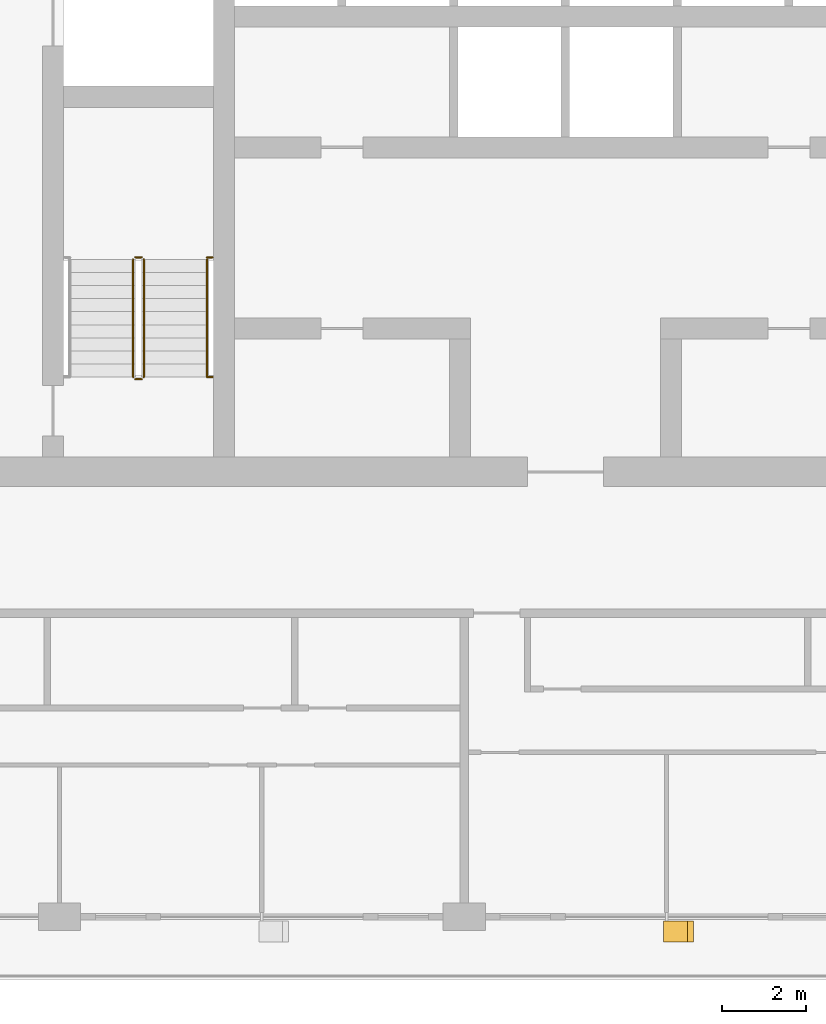
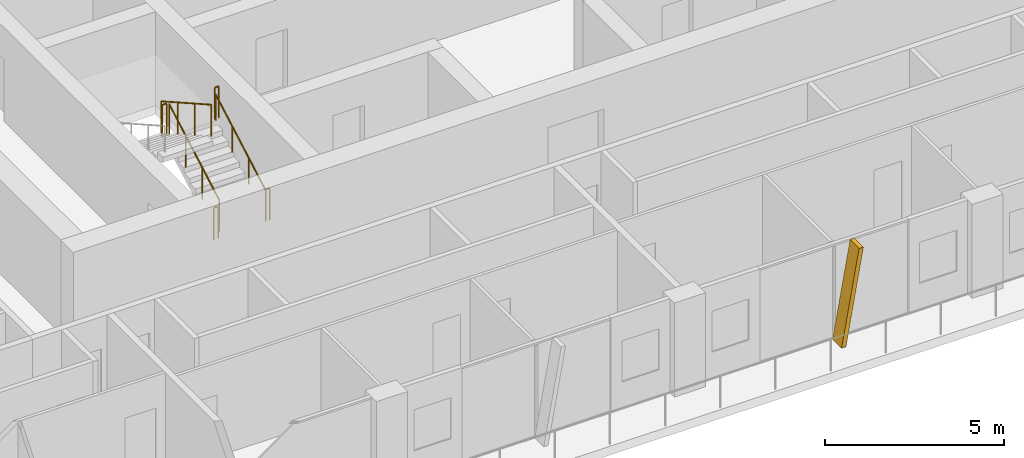
# One storey, part 18 of 23: 7 railings, 1 shading device.
"""IFC4 building model written with IfcOpenShell, lengths in metres."""

from ifc_helpers import new_model, si_unit, direction, frame, origin, origin_2d, place, context, subcontext, project, spatial, polyline, circle, outline, extrude, material, type_object, element, save


model = new_model("IFC4")

# Units and contexts
model_context = context("Model", 3, precision=1e-05, world=origin(), true_north=direction((0.0, 1.0)))
body_context = subcontext(model_context, "Body", "Model", "MODEL_VIEW")
ifc_project = project(units=[si_unit("LENGTHUNIT", "METRE"), si_unit("AREAUNIT", "SQUARE_METRE"), si_unit("VOLUMEUNIT", "CUBIC_METRE"), si_unit("PLANEANGLEUNIT", "RADIAN"), si_unit("MASSUNIT", "GRAM", prefix="KILO")], contexts=[model_context])

# Site, building, storey
site_placement = place(None, origin())
site = spatial("IfcSite", under=ifc_project, at=site_placement, CompositionType="ELEMENT")
building_placement = place(site_placement, origin())
building = spatial("IfcBuilding", under=site, at=building_placement, Name="Madar Terraces", CompositionType="ELEMENT")
storey_placement = place(building_placement, frame((0.0, 0.0, 219.300048828125)))
storey = spatial("IfcBuildingStorey", under=building, at=storey_placement, Name="L57", CompositionType="ELEMENT", Elevation=219.300048828125)

# Shading device
ifc_material_1 = material(Name="Aluminium, black anodised", Category="aluminium")
shading_device_type = type_object("IfcShadingDeviceType", Name="Facade fin blade 140 x 500", PredefinedType="USERDEFINED", material=ifc_material_1)
shading_device_placement = place(storey_placement, frame((33.530029296875, 4.449951171875, 0.0), z_axis=(0.0, 0.0, 1.0), x_axis=(1.0, 0.0, 0.0)))
element("IfcShadingDevice", 1, at=shading_device_placement, inside=storey, type_object=shading_device_type, Name="FIN L57 S3", ObjectType="FIN", PredefinedType="USERDEFINED", context=body_context, shape_type="SweptSolid", body=[
    extrude(outline(polyline([(0.0, 0.0), (0.139892578125, 0.0), (0.704345703125, 3.199951171875), (0.564208984375, 3.199951171875), (0.0, 0.0)])), frame((0.0, 0.25, 0.0), z_axis=(0.0, -1.0, 0.0), x_axis=(1.0, 0.0, 0.0)), (0.0, 0.0, 1.0), 0.5),
])

# Railings
ifc_material_2 = material(Name="Stainless steel railing", Category="steel")
railing_type_1 = type_object("IfcRailingType", Name="Stair guard 1100", PredefinedType="GUARDRAIL", material=ifc_material_2)
railing_1_placement = place(storey_placement, frame((21.199951171875, 17.60009765625, 0.175048828125)))
element("IfcRailing", 2, at=railing_1_placement, inside=storey, type_object=railing_type_1, Name="L57 ST1 stair guard 1", PredefinedType="GUARDRAIL", context=body_context, shape_type="SweptSolid", body=[
    extrude(circle(Radius=0.02392578125, at=origin_2d()), frame((0.0, 0.0, 1.076171875), z_axis=(0.0, 0.870815363784, 0.491610213684), x_axis=(-1.0, 0.0, 0.0)), (0.0, 0.0, 1.0), 3.20361328125),
    extrude(circle(Radius=0.02099609375, at=origin_2d()), origin(), (0.0, 0.0, 1.0), 1.052001953125),
    extrude(circle(Radius=0.02099609375, at=origin_2d()), frame((0.0, 0.929931640625, 0.52490234375)), (0.0, 0.0, 1.0), 1.052001953125),
    extrude(circle(Radius=0.02099609375, at=origin_2d()), frame((0.0, 1.85986328125, 1.050048828125)), (0.0, 0.0, 1.0), 1.052001953125),
    extrude(circle(Radius=0.02099609375, at=origin_2d()), frame((0.0, 2.789794921875, 1.574951171875)), (0.0, 0.0, 1.0), 1.052001953125),
])
railing_2_placement = place(storey_placement, frame((21.14990234375, 20.43994140625, 1.75)))
element("IfcRailing", 3, at=railing_2_placement, inside=storey, type_object=railing_type_1, Name="L57 ST1 stair guard 2", PredefinedType="GUARDRAIL", context=body_context, shape_type="SweptSolid", body=[
    extrude(circle(Radius=0.02392578125, at=origin_2d()), frame((0.0, 0.0, 1.076171875), z_axis=(-1.0, 0.0, 0.0), x_axis=(0.0, -1.0, 0.0)), (0.0, 0.0, 1.0), 0.14990234375),
    extrude(circle(Radius=0.02099609375, at=origin_2d()), origin(), (0.0, 0.0, 1.0), 1.052001953125),
    extrude(circle(Radius=0.02099609375, at=origin_2d()), frame((-0.14990234375, 0.0, 0.0)), (0.0, 0.0, 1.0), 1.052001953125),
])
railing_3_placement = place(storey_placement, frame((20.949951171875, 20.389892578125, 1.925048828125)))
element("IfcRailing", 4, at=railing_3_placement, inside=storey, type_object=railing_type_1, Name="L57 ST1 stair guard 3", PredefinedType="GUARDRAIL", context=body_context, shape_type="SweptSolid", body=[
    extrude(circle(Radius=0.02392578125, at=origin_2d()), frame((0.0, 0.0, 1.076171875), z_axis=(0.0, -0.870815363784, 0.491610213684), x_axis=(1.0, 0.0, 0.0)), (0.0, 0.0, 1.0), 3.20361328125),
    extrude(circle(Radius=0.02099609375, at=origin_2d()), origin(), (0.0, 0.0, 1.0), 1.052001953125),
    extrude(circle(Radius=0.02099609375, at=origin_2d()), frame((0.0, -0.929931640625, 0.52490234375)), (0.0, 0.0, 1.0), 1.052001953125),
    extrude(circle(Radius=0.02099609375, at=origin_2d()), frame((0.0, -1.85986328125, 1.050048828125)), (0.0, 0.0, 1.0), 1.052001953125),
    extrude(circle(Radius=0.02099609375, at=origin_2d()), frame((0.0, -2.789794921875, 1.574951171875)), (0.0, 0.0, 1.0), 1.052001953125),
])
railing_4_placement = place(storey_placement, frame((21.14990234375, 17.550048828125, 0.0)))
element("IfcRailing", 5, at=railing_4_placement, inside=storey, type_object=railing_type_1, Name="L57 ST1 stair guard 4", PredefinedType="GUARDRAIL", context=body_context, shape_type="SweptSolid", body=[
    extrude(circle(Radius=0.02392578125, at=origin_2d()), frame((0.0, 0.0, 1.076171875), z_axis=(-1.0, 0.0, 0.0), x_axis=(0.0, -1.0, 0.0)), (0.0, 0.0, 1.0), 0.14990234375),
    extrude(circle(Radius=0.02099609375, at=origin_2d()), origin(), (0.0, 0.0, 1.0), 1.052001953125),
    extrude(circle(Radius=0.02099609375, at=origin_2d()), frame((-0.14990234375, 0.0, 0.0)), (0.0, 0.0, 1.0), 1.052001953125),
])
for number, where, name in (
    (6, (22.699951171875, 20.43994140625, 1.75), "L57 stair guard seat 2"),
    (7, (22.699951171875, 17.60009765625, 0.0), "L57 stair guard floor 2"),
):
    element("IfcRailing", number, at=place(storey_placement, frame(where)), inside=storey, type_object=railing_type_1, Name=name, PredefinedType="GUARDRAIL", context=body_context, shape_type="SweptSolid", body=[
        extrude(circle(Radius=0.02392578125, at=origin_2d()), frame((0.0, 0.0, 1.076171875), z_axis=(1.0, 0.0, 0.0), x_axis=(0.0, 1.0, 0.0)), (0.0, 0.0, 1.0), 0.130126953125),
        extrude(circle(Radius=0.02099609375, at=origin_2d()), origin(), (0.0, 0.0, 1.0), 1.052001953125),
        extrude(circle(Radius=0.02099609375, at=origin_2d()), frame((0.130126953125, 0.0, 0.0)), (0.0, 0.0, 1.0), 1.052001953125),
    ])
ifc_material_3 = material(Name="Stainless steel railing", Category="steel")
railing_type_2 = type_object("IfcRailingType", Name="Stair handrail 900", PredefinedType="HANDRAIL", material=ifc_material_3)
railing_5_placement = place(storey_placement, frame((22.699951171875, 17.60009765625, 0.175048828125)))
element("IfcRailing", 8, at=railing_5_placement, inside=storey, type_object=railing_type_2, Name="L57 ST1 stair handrail 1", PredefinedType="HANDRAIL", context=body_context, shape_type="SweptSolid", body=[
    extrude(circle(Radius=0.02392578125, at=origin_2d()), frame((0.0, 0.0, 0.8759765625), z_axis=(0.0, 0.870815363784, 0.491610213684), x_axis=(-1.0, 0.0, 0.0)), (0.0, 0.0, 1.0), 3.20361328125),
    extrude(circle(Radius=0.02099609375, at=origin_2d()), origin(), (0.0, 0.0, 1.0), 0.851806640625),
    extrude(circle(Radius=0.02099609375, at=origin_2d()), frame((0.0, 0.929931640625, 0.52490234375)), (0.0, 0.0, 1.0), 0.851806640625),
    extrude(circle(Radius=0.02099609375, at=origin_2d()), frame((0.0, 1.85986328125, 1.050048828125)), (0.0, 0.0, 1.0), 0.851806640625),
    extrude(circle(Radius=0.02099609375, at=origin_2d()), frame((0.0, 2.789794921875, 1.574951171875)), (0.0, 0.0, 1.0), 0.851806640625),
])

save(model, "model.ifc")
